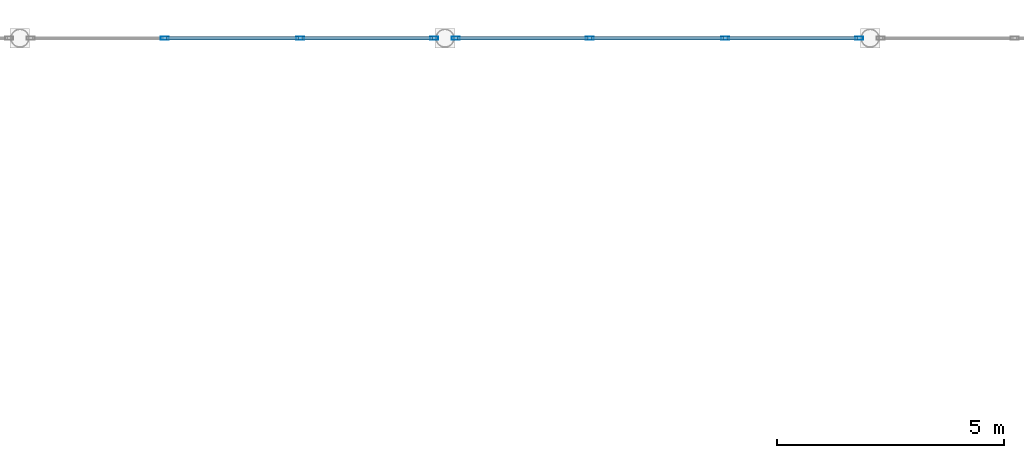
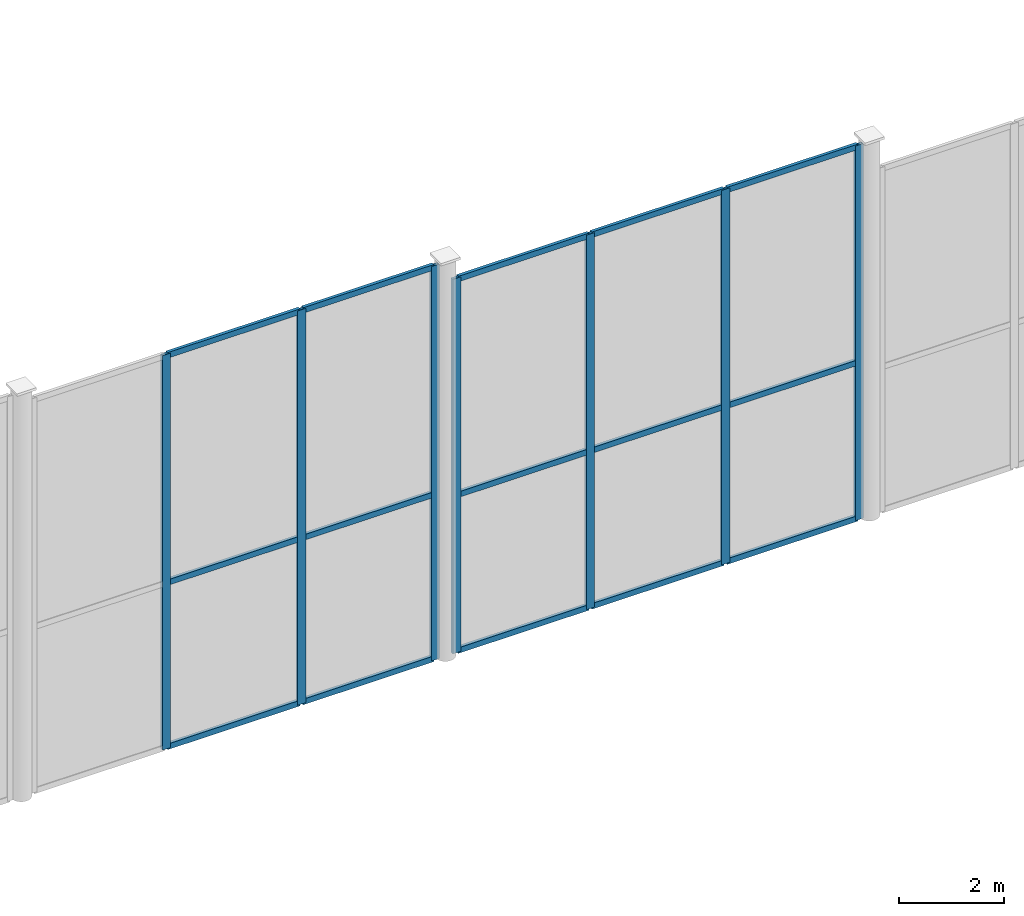
# One storey, part 45 of 77: 22 members, 2 elements without a shape of their own.
"""IFC4 building model written with IfcOpenShell, lengths in metres."""

import ifcopenshell
import ifcopenshell.guid

model = None  # the IFC model being written
_history = None  # IfcOwnerHistory: only IFC2X3 demands one
_inside = {}  # id of a spatial element -> (the spatial element, [elements in it])
_under = {}  # id of a project, library or spatial element -> (it, [spatial elements below it])
_declared = {}  # id of a project -> (the project, [libraries it declares])
_typed = {}  # id of a type object -> (the type object, [elements of that type])
_made_of = {}  # id of a material, layer set ... -> (it, [elements and type objects made of it])


def new_model(schema):
    """Start an empty IFC model of exactly this schema.

    Asked for "IFC4X3", IfcOpenShell would pick the latest addendum, in which some entities
    have other attributes; the version numbers below select the first issue.
    IFC2X3 requires an IfcOwnerHistory on every rooted entity: one is made here for all.
    """
    global model, _history
    if schema == "IFC4X3":
        model = ifcopenshell.file(schema_version=(4, 3, 0, 0))
    else:
        model = ifcopenshell.file(schema=schema)
    _inside.clear()
    _under.clear()
    _declared.clear()
    _typed.clear()
    _made_of.clear()
    _history = None
    if model.schema == "IFC2X3":
        org = make("IfcOrganization", Name="unknown")
        user = make(
            "IfcPersonAndOrganization",
            ThePerson=make("IfcPerson", FamilyName="unknown"),
            TheOrganization=org,
        )
        app = make(
            "IfcApplication",
            ApplicationDeveloper=org,
            Version="unknown",
            ApplicationFullName="unknown",
            ApplicationIdentifier="unknown",
        )
        _history = make(
            "IfcOwnerHistory",
            OwningUser=user,
            OwningApplication=app,
            ChangeAction="ADDED",
            CreationDate=0,
        )
    return model


def make(cls, **values):
    """One entity of the class cls with the attributes given. An attribute that is None is left unset."""
    return model.create_entity(
        cls, **{name: value for name, value in values.items() if value is not None}
    )


def rooted(cls, **values):
    """An entity with a GlobalId (a new one), such as an element, a storey or a relation."""
    return make(cls, GlobalId=ifcopenshell.guid.new(), OwnerHistory=_history, **values)


def si_unit(unit_type, name, prefix=None):
    """IfcSIUnit, for example si_unit("LENGTHUNIT", "METRE", prefix="MILLI")."""
    return make("IfcSIUnit", UnitType=unit_type, Prefix=prefix, Name=name)


def assignment(units):
    """IfcUnitAssignment: the units of a project."""
    return None if units is None else make("IfcUnitAssignment", Units=units)


def point(xyz):
    """IfcCartesianPoint."""
    return None if xyz is None else make("IfcCartesianPoint", Coordinates=xyz)


def direction(xyz):
    """IfcDirection."""
    return None if xyz is None else make("IfcDirection", DirectionRatios=xyz)


def frame(location, z_axis=None, x_axis=None):
    """IfcAxis2Placement3D, a coordinate frame: its origin and axes. An axis left out is left unset."""
    return make(
        "IfcAxis2Placement3D",
        Location=point(location),
        Axis=direction(z_axis),
        RefDirection=direction(x_axis),
    )


def frame_2d(location, x_axis=None):
    """IfcAxis2Placement2D, a coordinate frame in the plane: its origin and x axis."""
    return make(
        "IfcAxis2Placement2D", Location=point(location), RefDirection=direction(x_axis)
    )


def origin():
    """The frame at (0, 0, 0) with its axes left unset."""
    return frame((0.0, 0.0, 0.0))


def origin_2d():
    """The frame at (0, 0) in the plane with its x axis left unset."""
    return frame_2d((0.0, 0.0))


def place(relative_to, where):
    """IfcLocalPlacement: puts the frame where relative to a parent placement (None: the world)."""
    return make(
        "IfcLocalPlacement", PlacementRelTo=relative_to, RelativePlacement=where
    )


def context(
    kind, dimensions, precision=None, world=None, true_north=None, identifier=None
):
    """IfcGeometricRepresentationContext, for example the 3D "Model" context."""
    return make(
        "IfcGeometricRepresentationContext",
        ContextIdentifier=identifier,
        ContextType=kind,
        CoordinateSpaceDimension=dimensions,
        Precision=precision,
        WorldCoordinateSystem=world,
        TrueNorth=true_north,
    )


def subcontext(parent, identifier, kind, view, scale=None):
    """IfcGeometricRepresentationSubContext, for example "Body" below "Model"."""
    return make(
        "IfcGeometricRepresentationSubContext",
        ContextIdentifier=identifier,
        ContextType=kind,
        ParentContext=parent,
        TargetScale=scale,
        TargetView=view,
    )


def project(units=None, contexts=None):
    """IfcProject with its units and contexts."""
    return rooted(
        "IfcProject",
        Name="project",
        RepresentationContexts=contexts,
        UnitsInContext=assignment(units),
    )


def spatial(cls, under=None, at=None, **own):
    """A site, building, storey or space (cls), placed at a placement, below another one or the project."""
    s = rooted(cls, ObjectPlacement=at, **own)
    if under is not None:
        _under.setdefault(under.id(), (under, []))[1].append(s)
    return s


def profile(cls, at=None, kind="AREA", **sizes):
    """A parametric profile (cls). Its sizes go by their IFC names, for example OverallWidth=200.0."""
    return make(cls, ProfileType=kind, Position=at, **sizes)


def hollow_rectangle(**sizes):
    """IfcRectangleHollowProfileDef."""
    return profile("IfcRectangleHollowProfileDef", **sizes)


def extrude(swept, where, along, depth):
    """IfcExtrudedAreaSolid: the profile swept, set in the frame where, extruded along a direction by depth."""
    return make(
        "IfcExtrudedAreaSolid",
        SweptArea=swept,
        Position=where,
        ExtrudedDirection=direction(along),
        Depth=depth,
    )


def shape(context_of_items, identifier, shape_type, items):
    """IfcShapeRepresentation: the items that make up one representation, for example the "Body"."""
    return make(
        "IfcShapeRepresentation",
        ContextOfItems=context_of_items,
        RepresentationIdentifier=identifier,
        RepresentationType=shape_type,
        Items=items,
    )


def material(Name=None, Category=None):
    """IfcMaterial."""
    return make("IfcMaterial", Name=Name, Category=Category)


def layer(
    of_material, thickness, ventilated=None, Name=None, Category=None, Priority=None
):
    """IfcMaterialLayer: one layer of a wall or slab, of a material (None: an air gap)."""
    return make(
        "IfcMaterialLayer",
        Material=of_material,
        LayerThickness=thickness,
        IsVentilated=ventilated,
        Name=Name,
        Category=Category,
        Priority=Priority,
    )


def layer_set(layers, Name=None):
    """IfcMaterialLayerSet."""
    return make("IfcMaterialLayerSet", MaterialLayers=layers, LayerSetName=Name)


def material_profile(
    of_material, cross_section, Name=None, Category=None, Priority=None
):
    """IfcMaterialProfile: a cross section and its material."""
    return make(
        "IfcMaterialProfile",
        Name=Name,
        Material=of_material,
        Profile=cross_section,
        Priority=Priority,
        Category=Category,
    )


def profile_set(profiles, Name=None, composite=None):
    """IfcMaterialProfileSet."""
    return make(
        "IfcMaterialProfileSet",
        Name=Name,
        MaterialProfiles=profiles,
        CompositeProfile=composite,
    )


def made_of(thing, what):
    """Note that an element or type object is made of a material, layer set ...; save() writes the relation."""
    if what is not None:
        _made_of.setdefault(what.id(), (what, []))[1].append(thing)
    return thing


def type_object(cls, material=None, **own):
    """A type object (cls), such as IfcWallType, which elements share."""
    return made_of(rooted(cls, **own), material)


def element(
    cls,
    number,
    at=None,
    inside=None,
    cuts=None,
    type_object=None,
    material=None,
    context=None,
    identifier="Body",
    shape_type=None,
    held_by="IfcProductDefinitionShape",
    body=None,
    shapes=None,
    **own,
):
    """One element of the class cls, such as IfcWall. Its Tag is "e" and its number.

    at: its placement. inside: the storey or other place that contains it. cuts: it is an
    opening in that element (IfcRelVoidsElement). A single representation is given by context,
    identifier, shape_type and body (its items); several are given by shapes. held_by: the class
    of the entity that holds the representations. save() writes the other relations.
    """
    e = rooted(cls, Tag="e%d" % number, ObjectPlacement=at, **own)
    if body is not None:
        shapes = [shape(context, identifier, shape_type, body)]
    if shapes is not None:
        e.Representation = make(held_by, Representations=shapes)
    if inside is not None:
        _inside.setdefault(inside.id(), (inside, []))[1].append(e)
    if cuts is not None:
        rooted(
            "IfcRelVoidsElement", RelatingBuildingElement=cuts, RelatedOpeningElement=e
        )
    if type_object is not None:
        _typed.setdefault(type_object.id(), (type_object, []))[1].append(e)
    return made_of(e, material)


def aggregate(whole, parts):
    """IfcRelAggregates: a whole, such as a stair, and the parts it consists of."""
    return rooted("IfcRelAggregates", RelatingObject=whole, RelatedObjects=parts)


def save(model, path):
    """Write the relations noted so far, then the file.

    IfcRelAggregates (storeys below a building ...), IfcRelContainedInSpatialStructure (elements
    in a storey), IfcRelDefinesByType, IfcRelAssociatesMaterial and IfcRelDeclares: one each for
    every whole, place, type object, material and project.
    """
    for whole, parts in _under.values():
        aggregate(whole, parts)
    for where, things in _inside.values():
        rooted(
            "IfcRelContainedInSpatialStructure",
            RelatedElements=things,
            RelatingStructure=where,
        )
    for kind, things in _typed.values():
        rooted("IfcRelDefinesByType", RelatedObjects=things, RelatingType=kind)
    for what, things in _made_of.values():
        rooted("IfcRelAssociatesMaterial", RelatedObjects=things, RelatingMaterial=what)
    for by, libraries in _declared.values():
        rooted("IfcRelDeclares", RelatingContext=by, RelatedDefinitions=libraries)
    model.write(path)


model = new_model("IFC4")

# Units and contexts
model_context = context("Model", 3, precision=1e-05, world=origin(), true_north=direction((0.0, 1.0)))
body_context = subcontext(model_context, "Body", "Model", "MODEL_VIEW")
ifc_project = project(units=[si_unit("LENGTHUNIT", "METRE"), si_unit("AREAUNIT", "SQUARE_METRE"), si_unit("VOLUMEUNIT", "CUBIC_METRE"), si_unit("PLANEANGLEUNIT", "RADIAN"), si_unit("MASSUNIT", "GRAM", prefix="KILO")], contexts=[model_context])

# Site, building, storey
site_placement = place(None, origin())
site = spatial("IfcSite", under=ifc_project, at=site_placement, CompositionType="ELEMENT")
building_placement = place(site_placement, origin())
building = spatial("IfcBuilding", under=site, at=building_placement, Name="Quillay Park Conservatory", CompositionType="ELEMENT")
storey_placement = place(building_placement, frame((0.0, 0.0, 5.39990234375)))
storey = spatial("IfcBuildingStorey", under=building, at=storey_placement, Name="L01", CompositionType="ELEMENT", Elevation=5.39990234375)

# Curtain wall, members
ifc_material_1 = material(Name="Thermally Broken Anodised Aluminium 6063-T6", Category="aluminium")
ifc_layer = layer(ifc_material_1, 0.219970703125)
ifc_layer_set = layer_set([ifc_layer], Name="UNITISED CURTAIN WALL CONSERVATORY (Thermally Broken Anodised Aluminium 6063-T6)")
curtain_wall_type = type_object("IfcCurtainWallType", Name="UNITISED CURTAIN WALL CONSERVATORY", PredefinedType="USERDEFINED", material=ifc_layer_set)
curtain_wall_1_placement = place(storey_placement, origin())
curtain_wall_1 = element("IfcCurtainWall", 1, at=curtain_wall_1_placement, inside=storey, type_object=curtain_wall_type, Name="L01 Unitised Curtain Wall 156", ObjectType="UNITISED CURTAIN WALL", PredefinedType="USERDEFINED")
ifc_material_2 = material(Name="Thermally Broken Anodised Aluminium 6063-T6", Category="aluminium")
ifc_material_profile_1 = material_profile(ifc_material_2, hollow_rectangle(XDim=0.070068359375, YDim=0.179931640625, WallThickness=0.00390625, at=origin_2d()), Name="AL70x180x4")
ifc_profile_set_1 = profile_set([ifc_material_profile_1], Name="Thermally Broken Anodised Aluminium 6063-T6")
member_type_1 = type_object("IfcMemberType", Name="CURTAIN WALL MULLION 70 X180", PredefinedType="MULLION", material=ifc_profile_set_1)
member_1_placement = place(storey_placement, frame((80.613525390625, 113.39990234375, 0.0), z_axis=(0.0, 0.0, 1.0), x_axis=(0.0, 1.0, 0.0)))
member_1 = element("IfcMember", 2, at=member_1_placement, type_object=member_type_1, Name="CW-C1 mullion 2", PredefinedType="MULLION", context=body_context, shape_type="SweptSolid", body=[
    extrude(hollow_rectangle(XDim=0.070068359375, YDim=0.179931640625, WallThickness=0.00390625, at=origin_2d()), origin(), (0.0, 0.0, 1.0), 9.201904296875),
])
member_2_placement = place(storey_placement, frame((83.597412109375, 113.39990234375, 0.0), z_axis=(0.0, 0.0, 1.0), x_axis=(0.0, 1.0, 0.0)))
member_2 = element("IfcMember", 3, at=member_2_placement, type_object=member_type_1, Name="CW-C1 mullion 3", PredefinedType="MULLION", context=body_context, shape_type="SweptSolid", body=[
    extrude(hollow_rectangle(XDim=0.070068359375, YDim=0.179931640625, WallThickness=0.00390625, at=origin_2d()), origin(), (0.0, 0.0, 1.0), 9.201904296875),
])
member_3_placement = place(storey_placement, frame((86.54638671875, 113.39990234375, 0.0), z_axis=(0.0, 0.0, 1.0), x_axis=(0.0, 1.0, 0.0)))
member_3 = element("IfcMember", 4, at=member_3_placement, type_object=member_type_1, Name="CW-C1 mullion 4", PredefinedType="MULLION", context=body_context, shape_type="SweptSolid", body=[
    extrude(hollow_rectangle(XDim=0.070068359375, YDim=0.179931640625, WallThickness=0.00390625, at=origin_2d()), origin(), (0.0, 0.0, 1.0), 9.201904296875),
])

curtain_wall_2_placement = place(storey_placement, origin())
curtain_wall_2 = element("IfcCurtainWall", 5, at=curtain_wall_2_placement, inside=storey, type_object=curtain_wall_type, Name="L01 Unitised Curtain Wall 158", ObjectType="UNITISED CURTAIN WALL", PredefinedType="USERDEFINED")
member_4_placement = place(storey_placement, frame((87.020263671875, 113.39990234375, 0.0), z_axis=(0.0, 0.0, 1.0), x_axis=(0.0, 1.0, 0.0)))
member_4 = element("IfcMember", 6, at=member_4_placement, type_object=member_type_1, Name="CW-C1 mullion 1", PredefinedType="MULLION", context=body_context, shape_type="SweptSolid", body=[
    extrude(hollow_rectangle(XDim=0.070068359375, YDim=0.179931640625, WallThickness=0.00390625, at=origin_2d()), origin(), (0.0, 0.0, 1.0), 8.737060546875),
])
member_5_placement = place(storey_placement, frame((89.96923828125, 113.39990234375, 0.0), z_axis=(0.0, 0.0, 1.0), x_axis=(0.0, 1.0, 0.0)))
member_5 = element("IfcMember", 7, at=member_5_placement, type_object=member_type_1, Name="CW-C1 mullion 2", PredefinedType="MULLION", context=body_context, shape_type="SweptSolid", body=[
    extrude(hollow_rectangle(XDim=0.070068359375, YDim=0.179931640625, WallThickness=0.00390625, at=origin_2d()), origin(), (0.0, 0.0, 1.0), 8.737060546875),
])
member_6_placement = place(storey_placement, frame((92.953125, 113.39990234375, 0.0), z_axis=(0.0, 0.0, 1.0), x_axis=(0.0, 1.0, 0.0)))
member_6 = element("IfcMember", 8, at=member_6_placement, type_object=member_type_1, Name="CW-C1 mullion 3", PredefinedType="MULLION", context=body_context, shape_type="SweptSolid", body=[
    extrude(hollow_rectangle(XDim=0.070068359375, YDim=0.179931640625, WallThickness=0.00390625, at=origin_2d()), origin(), (0.0, 0.0, 1.0), 8.737060546875),
])
member_7_placement = place(storey_placement, frame((95.90185546875, 113.39990234375, 0.0), z_axis=(0.0, 0.0, 1.0), x_axis=(0.0, 1.0, 0.0)))
member_7 = element("IfcMember", 9, at=member_7_placement, type_object=member_type_1, Name="CW-C1 mullion 4", PredefinedType="MULLION", context=body_context, shape_type="SweptSolid", body=[
    extrude(hollow_rectangle(XDim=0.070068359375, YDim=0.179931640625, WallThickness=0.00390625, at=origin_2d()), origin(), (0.0, 0.0, 1.0), 8.737060546875),
])

# Member
ifc_material_3 = material(Name="Thermally Broken Anodised Aluminium 6063-T6", Category="aluminium")
ifc_material_profile_2 = material_profile(ifc_material_3, hollow_rectangle(XDim=0.070068359375, YDim=0.1298828125, WallThickness=0.003173828125, at=origin_2d()), Name="AL70x130x3.2")
ifc_profile_set_2 = profile_set([ifc_material_profile_2], Name="Thermally Broken Anodised Aluminium 6063-T6")
member_type_2 = type_object("IfcMemberType", Name="CURTAIN WALL TRANSOM 70 X130", PredefinedType="USERDEFINED", material=ifc_profile_set_2)
member_8_placement = place(storey_placement, frame((80.648681640625, 113.39990234375, 0.03515625), z_axis=(1.0, 0.0, 0.0), x_axis=(0.0, 1.0, 0.0)))
member_8 = element("IfcMember", 10, at=member_8_placement, type_object=member_type_2, Name="CW-C1 transom 2.1", ObjectType="TRANSOM", PredefinedType="USERDEFINED", context=body_context, shape_type="SweptSolid", body=[
    extrude(hollow_rectangle(XDim=0.070068359375, YDim=0.1298828125, WallThickness=0.003173828125, at=origin_2d()), origin(), (0.0, 0.0, 1.0), 2.913818359375),
])

member_9_placement = place(storey_placement, frame((80.648681640625, 113.39990234375, 3.864990234375), z_axis=(1.0, 0.0, 0.0), x_axis=(0.0, 1.0, 0.0)))
member_9 = element("IfcMember", 11, at=member_9_placement, type_object=member_type_2, Name="CW-C1 transom 2.2", ObjectType="TRANSOM", PredefinedType="USERDEFINED", context=body_context, shape_type="SweptSolid", body=[
    extrude(hollow_rectangle(XDim=0.070068359375, YDim=0.1298828125, WallThickness=0.003173828125, at=origin_2d()), origin(), (0.0, 0.0, 1.0), 2.913818359375),
])

member_10_placement = place(storey_placement, frame((80.648681640625, 113.39990234375, 9.1669921875), z_axis=(1.0, 0.0, 0.0), x_axis=(0.0, 1.0, 0.0)))
member_10 = element("IfcMember", 12, at=member_10_placement, type_object=member_type_2, Name="CW-C1 transom 2.3", ObjectType="TRANSOM", PredefinedType="USERDEFINED", context=body_context, shape_type="SweptSolid", body=[
    extrude(hollow_rectangle(XDim=0.070068359375, YDim=0.1298828125, WallThickness=0.003173828125, at=origin_2d()), origin(), (0.0, 0.0, 1.0), 2.913818359375),
])

member_11_placement = place(storey_placement, frame((83.632568359375, 113.39990234375, 0.03515625), z_axis=(1.0, 0.0, 0.0), x_axis=(0.0, 1.0, 0.0)))
member_11 = element("IfcMember", 13, at=member_11_placement, type_object=member_type_2, Name="CW-C1 transom 3.1", ObjectType="TRANSOM", PredefinedType="USERDEFINED", context=body_context, shape_type="SweptSolid", body=[
    extrude(hollow_rectangle(XDim=0.070068359375, YDim=0.1298828125, WallThickness=0.003173828125, at=origin_2d()), origin(), (0.0, 0.0, 1.0), 2.878662109375),
])

member_12_placement = place(storey_placement, frame((83.632568359375, 113.39990234375, 3.864990234375), z_axis=(1.0, 0.0, 0.0), x_axis=(0.0, 1.0, 0.0)))
member_12 = element("IfcMember", 14, at=member_12_placement, type_object=member_type_2, Name="CW-C1 transom 3.2", ObjectType="TRANSOM", PredefinedType="USERDEFINED", context=body_context, shape_type="SweptSolid", body=[
    extrude(hollow_rectangle(XDim=0.070068359375, YDim=0.1298828125, WallThickness=0.003173828125, at=origin_2d()), origin(), (0.0, 0.0, 1.0), 2.878662109375),
])

member_13_placement = place(storey_placement, frame((83.632568359375, 113.39990234375, 9.1669921875), z_axis=(1.0, 0.0, 0.0), x_axis=(0.0, 1.0, 0.0)))
member_13 = element("IfcMember", 15, at=member_13_placement, type_object=member_type_2, Name="CW-C1 transom 3.3", ObjectType="TRANSOM", PredefinedType="USERDEFINED", context=body_context, shape_type="SweptSolid", body=[
    extrude(hollow_rectangle(XDim=0.070068359375, YDim=0.1298828125, WallThickness=0.003173828125, at=origin_2d()), origin(), (0.0, 0.0, 1.0), 2.878662109375),
])

aggregate(curtain_wall_1, [member_1, member_2, member_3, member_8, member_9, member_10, member_11, member_12, member_13])

member_14_placement = place(storey_placement, frame((87.055419921875, 113.39990234375, 0.03515625), z_axis=(1.0, 0.0, 0.0), x_axis=(0.0, 1.0, 0.0)))
member_14 = element("IfcMember", 16, at=member_14_placement, type_object=member_type_2, Name="CW-C1 transom 1.1", ObjectType="TRANSOM", PredefinedType="USERDEFINED", context=body_context, shape_type="SweptSolid", body=[
    extrude(hollow_rectangle(XDim=0.070068359375, YDim=0.1298828125, WallThickness=0.003173828125, at=origin_2d()), origin(), (0.0, 0.0, 1.0), 2.878662109375),
])

member_15_placement = place(storey_placement, frame((87.055419921875, 113.39990234375, 3.669677734375), z_axis=(1.0, 0.0, 0.0), x_axis=(0.0, 1.0, 0.0)))
member_15 = element("IfcMember", 17, at=member_15_placement, type_object=member_type_2, Name="CW-C1 transom 1.2", ObjectType="TRANSOM", PredefinedType="USERDEFINED", context=body_context, shape_type="SweptSolid", body=[
    extrude(hollow_rectangle(XDim=0.070068359375, YDim=0.1298828125, WallThickness=0.003173828125, at=origin_2d()), origin(), (0.0, 0.0, 1.0), 2.878662109375),
])

member_16_placement = place(storey_placement, frame((87.055419921875, 113.39990234375, 8.7021484375), z_axis=(1.0, 0.0, 0.0), x_axis=(0.0, 1.0, 0.0)))
member_16 = element("IfcMember", 18, at=member_16_placement, type_object=member_type_2, Name="CW-C1 transom 1.3", ObjectType="TRANSOM", PredefinedType="USERDEFINED", context=body_context, shape_type="SweptSolid", body=[
    extrude(hollow_rectangle(XDim=0.070068359375, YDim=0.1298828125, WallThickness=0.003173828125, at=origin_2d()), origin(), (0.0, 0.0, 1.0), 2.878662109375),
])

member_17_placement = place(storey_placement, frame((90.004150390625, 113.39990234375, 0.03515625), z_axis=(1.0, 0.0, 0.0), x_axis=(0.0, 1.0, 0.0)))
member_17 = element("IfcMember", 19, at=member_17_placement, type_object=member_type_2, Name="CW-C1 transom 2.1", ObjectType="TRANSOM", PredefinedType="USERDEFINED", context=body_context, shape_type="SweptSolid", body=[
    extrude(hollow_rectangle(XDim=0.070068359375, YDim=0.1298828125, WallThickness=0.003173828125, at=origin_2d()), origin(), (0.0, 0.0, 1.0), 2.913818359375),
])

member_18_placement = place(storey_placement, frame((90.004150390625, 113.39990234375, 3.669677734375), z_axis=(1.0, 0.0, 0.0), x_axis=(0.0, 1.0, 0.0)))
member_18 = element("IfcMember", 20, at=member_18_placement, type_object=member_type_2, Name="CW-C1 transom 2.2", ObjectType="TRANSOM", PredefinedType="USERDEFINED", context=body_context, shape_type="SweptSolid", body=[
    extrude(hollow_rectangle(XDim=0.070068359375, YDim=0.1298828125, WallThickness=0.003173828125, at=origin_2d()), origin(), (0.0, 0.0, 1.0), 2.913818359375),
])

member_19_placement = place(storey_placement, frame((90.004150390625, 113.39990234375, 8.7021484375), z_axis=(1.0, 0.0, 0.0), x_axis=(0.0, 1.0, 0.0)))
member_19 = element("IfcMember", 21, at=member_19_placement, type_object=member_type_2, Name="CW-C1 transom 2.3", ObjectType="TRANSOM", PredefinedType="USERDEFINED", context=body_context, shape_type="SweptSolid", body=[
    extrude(hollow_rectangle(XDim=0.070068359375, YDim=0.1298828125, WallThickness=0.003173828125, at=origin_2d()), origin(), (0.0, 0.0, 1.0), 2.913818359375),
])

member_20_placement = place(storey_placement, frame((92.988037109375, 113.39990234375, 0.03515625), z_axis=(1.0, 0.0, 0.0), x_axis=(0.0, 1.0, 0.0)))
member_20 = element("IfcMember", 22, at=member_20_placement, type_object=member_type_2, Name="CW-C1 transom 3.1", ObjectType="TRANSOM", PredefinedType="USERDEFINED", context=body_context, shape_type="SweptSolid", body=[
    extrude(hollow_rectangle(XDim=0.070068359375, YDim=0.1298828125, WallThickness=0.003173828125, at=origin_2d()), origin(), (0.0, 0.0, 1.0), 2.87890625),
])

member_21_placement = place(storey_placement, frame((92.988037109375, 113.39990234375, 3.669677734375), z_axis=(1.0, 0.0, 0.0), x_axis=(0.0, 1.0, 0.0)))
member_21 = element("IfcMember", 23, at=member_21_placement, type_object=member_type_2, Name="CW-C1 transom 3.2", ObjectType="TRANSOM", PredefinedType="USERDEFINED", context=body_context, shape_type="SweptSolid", body=[
    extrude(hollow_rectangle(XDim=0.070068359375, YDim=0.1298828125, WallThickness=0.003173828125, at=origin_2d()), origin(), (0.0, 0.0, 1.0), 2.87890625),
])

member_22_placement = place(storey_placement, frame((92.988037109375, 113.39990234375, 8.7021484375), z_axis=(1.0, 0.0, 0.0), x_axis=(0.0, 1.0, 0.0)))
member_22 = element("IfcMember", 24, at=member_22_placement, type_object=member_type_2, Name="CW-C1 transom 3.3", ObjectType="TRANSOM", PredefinedType="USERDEFINED", context=body_context, shape_type="SweptSolid", body=[
    extrude(hollow_rectangle(XDim=0.070068359375, YDim=0.1298828125, WallThickness=0.003173828125, at=origin_2d()), origin(), (0.0, 0.0, 1.0), 2.87890625),
])

aggregate(curtain_wall_2, [member_4, member_5, member_6, member_7, member_14, member_15, member_16, member_17, member_18, member_19, member_20, member_21, member_22])

save(model, "model.ifc")
